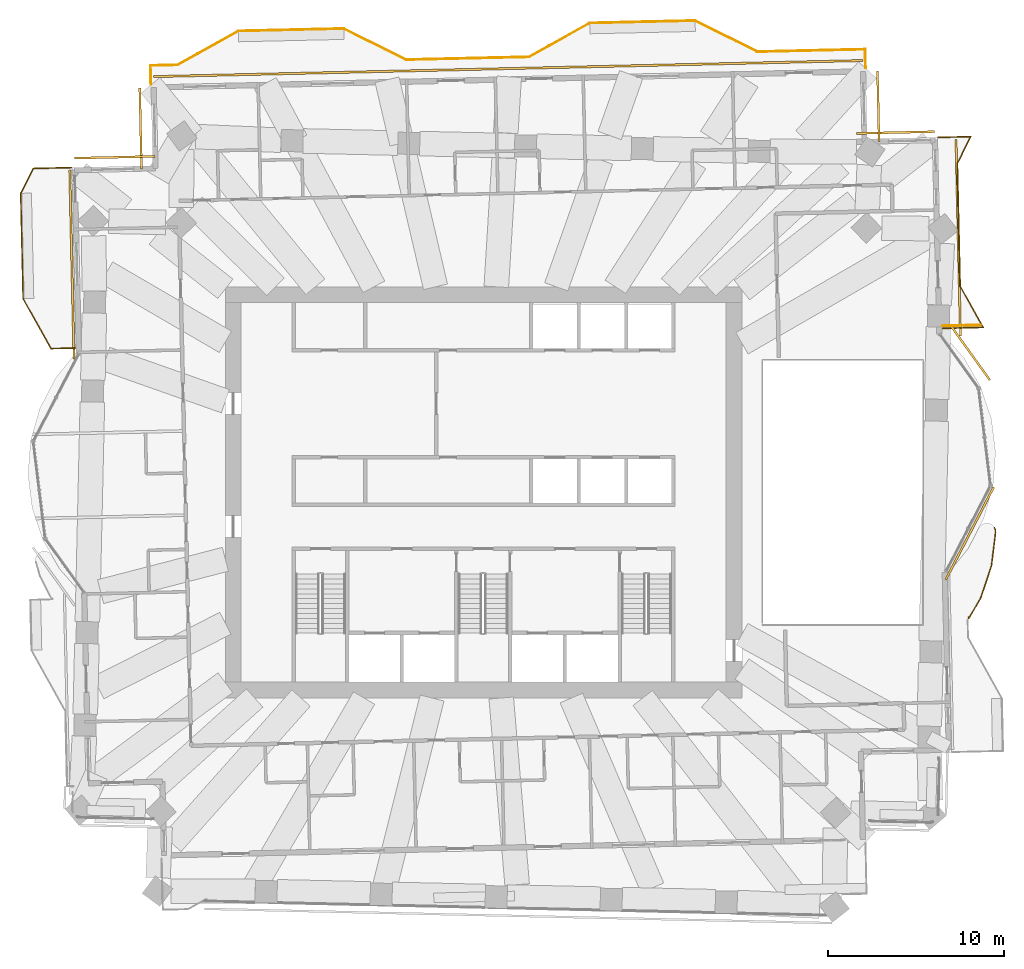
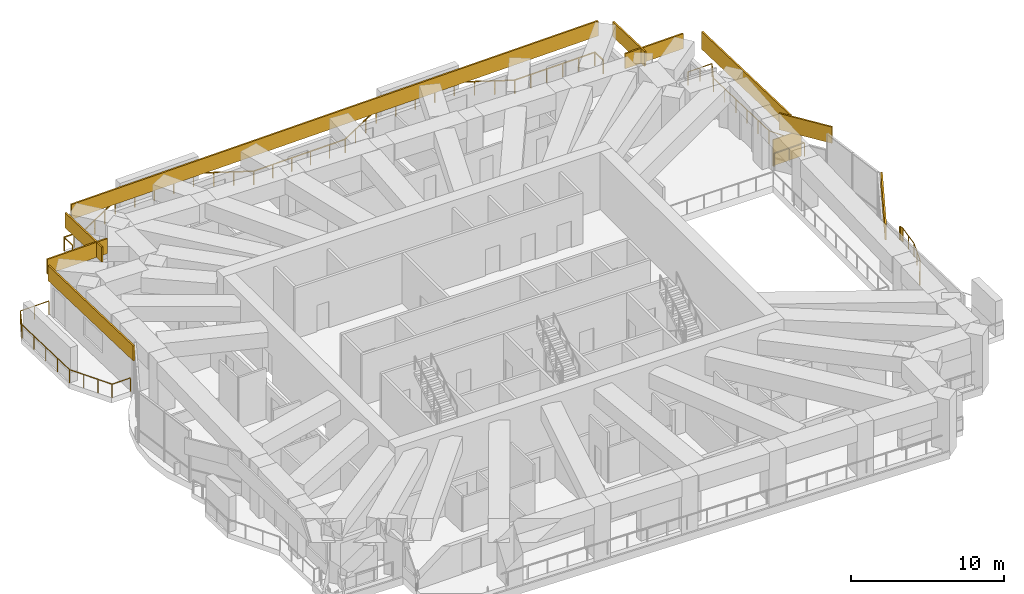
# One storey, part 17 of 17: 9 coverings, 4 railings, 1 shading device.
"""IFC4 building model written with IfcOpenShell, lengths in metres."""

from ifc_helpers import new_model, si_unit, direction, frame, frame_2d, origin, origin_2d, place, context, subcontext, project, spatial, rectangle, extrude, material, layer, layer_set, type_object, element, save


model = new_model("IFC4")

# Units and contexts
model_context = context("Model", 3, precision=1e-05, world=origin(), true_north=direction((0.0, 1.0)))
body_context = subcontext(model_context, "Body", "Model", "MODEL_VIEW")
ifc_project = project(units=[si_unit("LENGTHUNIT", "METRE"), si_unit("AREAUNIT", "SQUARE_METRE"), si_unit("VOLUMEUNIT", "CUBIC_METRE"), si_unit("PLANEANGLEUNIT", "RADIAN"), si_unit("MASSUNIT", "GRAM", prefix="KILO")], contexts=[model_context])

# Site, building, storey
site_placement = place(None, origin())
site = spatial("IfcSite", under=ifc_project, at=site_placement, CompositionType="ELEMENT")
building_placement = place(site_placement, origin())
building = spatial("IfcBuilding", under=site, at=building_placement, Name="Mangrove Gate Tower", CompositionType="ELEMENT")
storey_placement = place(building_placement, frame((0.0, 0.0, 170.699951171875)))
storey = spatial("IfcBuildingStorey", under=building, at=storey_placement, Name="L43", CompositionType="ELEMENT", Elevation=170.699951171875)

# Railings
ifc_material_1 = material(Name="Stainless steel grade 316 with laminated glass infill", Category="steel")
railing_type = type_object("IfcRailingType", Name="Balcony guard 1100", PredefinedType="GUARDRAIL", material=ifc_material_1)
railing_1_placement = place(storey_placement, frame((26.112060546875, 9.333984375, 0.0)))
element("IfcRailing", 1, at=railing_1_placement, inside=storey, type_object=railing_type, Name="GUARD L43 E2", PredefinedType="GUARDRAIL", context=body_context, shape_type="SweptSolid", body=[
    extrude(rectangle(XDim=0.048095703125, YDim=0.048095703125, at=origin_2d()), frame((0.0, 0.0, 1.076171875), z_axis=(0.999747788443, 0.022457949688, 0.0), x_axis=(-0.022457949688, 0.999747788443, 0.0)), (0.0, 0.0, 1.0), 2.3154296875),
    extrude(rectangle(XDim=0.048095703125, YDim=0.048095703125, at=origin_2d()), frame((2.31494140625, 0.052001953125, 1.076171875), z_axis=(-0.487440307169, 0.873156313009, 0.0), x_axis=(-0.873156313009, -0.487440307169, 0.0)), (0.0, 0.0, 1.0), 2.685546875),
    extrude(rectangle(XDim=0.048095703125, YDim=0.048095703125, at=origin_2d()), frame((1.005859375, 2.39697265625, 1.076171875), z_axis=(-0.022702393474, 0.999742267452, 0.0), x_axis=(-0.999742267452, -0.022702393474, 0.0)), (0.0, 0.0, 1.0), 7.000732421875),
    extrude(rectangle(XDim=0.048095703125, YDim=0.048095703125, at=origin_2d()), frame((0.846923828125, 9.39599609375, 1.076171875), z_axis=(0.447443850914, 0.894312026241, 0.0), x_axis=(-0.894312026241, 0.447443850914, 0.0)), (0.0, 0.0, 1.0), 1.6962890625),
    extrude(rectangle(XDim=0.048095703125, YDim=0.048095703125, at=origin_2d()), frame((1.60595703125, 10.9130859375, 1.076171875), z_axis=(-0.999743329406, -0.02265558006, 0.0), x_axis=(0.02265558006, -0.999743329406, 0.0)), (0.0, 0.0, 1.0), 1.853515625),
    extrude(rectangle(XDim=0.0419921875, YDim=0.0419921875, at=origin_2d()), origin(), (0.0, 0.0, 1.0), 1.052001953125),
    extrude(rectangle(XDim=0.0419921875, YDim=0.0419921875, at=origin_2d()), frame((1.157470703125, 0.02587890625, 0.0)), (0.0, 0.0, 1.0), 1.052001953125),
    extrude(rectangle(XDim=0.0419921875, YDim=0.0419921875, at=origin_2d()), frame((2.31494140625, 0.052001953125, 0.0)), (0.0, 0.0, 1.0), 1.052001953125),
    extrude(rectangle(XDim=0.0419921875, YDim=0.0419921875, at=origin_2d()), frame((1.660400390625, 1.224609375, 0.0)), (0.0, 0.0, 1.0), 1.052001953125),
    extrude(rectangle(XDim=0.0419921875, YDim=0.0419921875, at=origin_2d()), frame((1.005859375, 2.39697265625, 0.0)), (0.0, 0.0, 1.0), 1.052001953125),
    extrude(rectangle(XDim=0.0419921875, YDim=0.0419921875, at=origin_2d()), frame((0.97412109375, 3.796875, 0.0)), (0.0, 0.0, 1.0), 1.052001953125),
    extrude(rectangle(XDim=0.0419921875, YDim=0.0419921875, at=origin_2d()), frame((0.9423828125, 5.196533203125, 0.0)), (0.0, 0.0, 1.0), 1.052001953125),
    extrude(rectangle(XDim=0.0419921875, YDim=0.0419921875, at=origin_2d()), frame((0.910400390625, 6.596435546875, 0.0)), (0.0, 0.0, 1.0), 1.052001953125),
    extrude(rectangle(XDim=0.0419921875, YDim=0.0419921875, at=origin_2d()), frame((0.878662109375, 7.99609375, 0.0)), (0.0, 0.0, 1.0), 1.052001953125),
    extrude(rectangle(XDim=0.0419921875, YDim=0.0419921875, at=origin_2d()), frame((0.846923828125, 9.39599609375, 0.0)), (0.0, 0.0, 1.0), 1.052001953125),
    extrude(rectangle(XDim=0.0419921875, YDim=0.0419921875, at=origin_2d()), frame((1.2265625, 10.154541015625, 0.0)), (0.0, 0.0, 1.0), 1.052001953125),
    extrude(rectangle(XDim=0.0419921875, YDim=0.0419921875, at=origin_2d()), frame((1.60595703125, 10.9130859375, 0.0)), (0.0, 0.0, 1.0), 1.052001953125),
    extrude(rectangle(XDim=0.0419921875, YDim=0.0419921875, at=origin_2d()), frame((0.679443359375, 10.89208984375, 0.0)), (0.0, 0.0, 1.0), 1.052001953125),
    extrude(rectangle(XDim=0.0419921875, YDim=0.0419921875, at=origin_2d()), frame((-0.2470703125, 10.87109375, 0.0)), (0.0, 0.0, 1.0), 1.052001953125),
])
railing_2_placement = place(storey_placement, frame((21.735107421875, 24.153076171875, 0.0)))
element("IfcRailing", 2, at=railing_2_placement, inside=storey, type_object=railing_type, Name="GUARD L43 N1", PredefinedType="GUARDRAIL", context=body_context, shape_type="SweptSolid", body=[
    extrude(rectangle(XDim=0.048095703125, YDim=0.048095703125, at=origin_2d()), frame((0.0, 0.0, 1.076171875), z_axis=(-0.022820894023, 0.999739569486, 0.0), x_axis=(-0.999739569486, -0.022820894023, 0.0)), (0.0, 0.0, 1.0), 1.05908203125),
    extrude(rectangle(XDim=0.048095703125, YDim=0.048095703125, at=origin_2d()), frame((-0.024169921875, 1.058837890625, 1.076171875), z_axis=(-0.999744068049, -0.02262296181, 0.0), x_axis=(0.02262296181, -0.999744068049, 0.0)), (0.0, 0.0, 1.0), 6.140380859375),
    extrude(rectangle(XDim=0.048095703125, YDim=0.048095703125, at=origin_2d()), frame((-6.1630859375, 0.919921875, 1.076171875), z_axis=(-0.894476522376, 0.447114919141, 0.0), x_axis=(-0.447114919141, -0.894476522376, 0.0)), (0.0, 0.0, 1.0), 3.958740234375),
    extrude(rectangle(XDim=0.048095703125, YDim=0.048095703125, at=origin_2d()), frame((-9.7041015625, 2.68994140625, 1.076171875), z_axis=(-0.999743094499, -0.022665943652, 0.0), x_axis=(0.022665943652, -0.999743094499, 0.0)), (0.0, 0.0, 1.0), 5.99951171875),
    extrude(rectangle(XDim=0.048095703125, YDim=0.048095703125, at=origin_2d()), frame((-15.7021484375, 2.553955078125, 1.076171875), z_axis=(-0.87325689943, -0.48726008209, 0.0), x_axis=(0.48726008209, -0.87325689943, 0.0)), (0.0, 0.0, 1.0), 3.958740234375),
    extrude(rectangle(XDim=0.048095703125, YDim=0.048095703125, at=origin_2d()), frame((-19.1591796875, 0.625, 1.076171875), z_axis=(-0.999745080635, -0.022578169675, 0.0), x_axis=(0.022578169675, -0.999745080635, 0.0)), (0.0, 0.0, 1.0), 1.2001953125),
    extrude(rectangle(XDim=0.048095703125, YDim=0.048095703125, at=origin_2d()), frame((-20.359130859375, 0.597900390625, 1.076171875), z_axis=(-0.999740726178, -0.022770165152, 0.0), x_axis=(0.022770165152, -0.999740726178, 0.0)), (0.0, 0.0, 1.0), 5.800537109375),
    extrude(rectangle(XDim=0.048095703125, YDim=0.048095703125, at=origin_2d()), frame((-26.158203125, 0.4658203125, 1.076171875), z_axis=(-0.894476522376, 0.447114919141, 0.0), x_axis=(-0.447114919141, -0.894476522376, 0.0)), (0.0, 0.0, 1.0), 3.958740234375),
    extrude(rectangle(XDim=0.048095703125, YDim=0.048095703125, at=origin_2d()), frame((-29.69921875, 2.23583984375, 1.076171875), z_axis=(-0.999743073592, -0.022666865795, 0.0), x_axis=(0.022666865795, -0.999743073592, 0.0)), (0.0, 0.0, 1.0), 5.999267578125),
    extrude(rectangle(XDim=0.048095703125, YDim=0.048095703125, at=origin_2d()), frame((-35.697021484375, 2.099853515625, 1.076171875), z_axis=(-0.87325689943, -0.48726008209, 0.0), x_axis=(0.48726008209, -0.87325689943, 0.0)), (0.0, 0.0, 1.0), 3.958740234375),
    extrude(rectangle(XDim=0.048095703125, YDim=0.048095703125, at=origin_2d()), frame((-39.154052734375, 0.1708984375, 1.076171875), z_axis=(-0.999743143029, -0.02266380302, 0.0), x_axis=(0.02266380302, -0.999743143029, 0.0)), (0.0, 0.0, 1.0), 1.54052734375),
    extrude(rectangle(XDim=0.048095703125, YDim=0.048095703125, at=origin_2d()), frame((-40.694091796875, 0.135986328125, 1.076171875), z_axis=(0.022585293253, -0.999744919731, 0.0), x_axis=(0.999744919731, 0.022585293253, 0.0)), (0.0, 0.0, 1.0), 1.059326171875),
    extrude(rectangle(XDim=0.0419921875, YDim=0.0419921875, at=origin_2d()), origin(), (0.0, 0.0, 1.0), 1.052001953125),
    extrude(rectangle(XDim=0.0419921875, YDim=0.0419921875, at=origin_2d()), frame((-0.024169921875, 1.058837890625, 0.0)), (0.0, 0.0, 1.0), 1.052001953125),
    extrude(rectangle(XDim=0.0419921875, YDim=0.0419921875, at=origin_2d()), frame((-1.251953125, 1.031005859375, 0.0)), (0.0, 0.0, 1.0), 1.052001953125),
    extrude(rectangle(XDim=0.0419921875, YDim=0.0419921875, at=origin_2d()), frame((-2.479736328125, 1.003173828125, 0.0)), (0.0, 0.0, 1.0), 1.052001953125),
    extrude(rectangle(XDim=0.0419921875, YDim=0.0419921875, at=origin_2d()), frame((-3.70751953125, 0.9755859375, 0.0)), (0.0, 0.0, 1.0), 1.052001953125),
    extrude(rectangle(XDim=0.0419921875, YDim=0.0419921875, at=origin_2d()), frame((-4.935302734375, 0.94775390625, 0.0)), (0.0, 0.0, 1.0), 1.052001953125),
    extrude(rectangle(XDim=0.0419921875, YDim=0.0419921875, at=origin_2d()), frame((-6.1630859375, 0.919921875, 0.0)), (0.0, 0.0, 1.0), 1.052001953125),
    extrude(rectangle(XDim=0.0419921875, YDim=0.0419921875, at=origin_2d()), frame((-7.343505859375, 1.510009765625, 0.0)), (0.0, 0.0, 1.0), 1.052001953125),
    extrude(rectangle(XDim=0.0419921875, YDim=0.0419921875, at=origin_2d()), frame((-8.523681640625, 2.099853515625, 0.0)), (0.0, 0.0, 1.0), 1.052001953125),
    extrude(rectangle(XDim=0.0419921875, YDim=0.0419921875, at=origin_2d()), frame((-9.7041015625, 2.68994140625, 0.0)), (0.0, 0.0, 1.0), 1.052001953125),
    extrude(rectangle(XDim=0.0419921875, YDim=0.0419921875, at=origin_2d()), frame((-11.20361328125, 2.656005859375, 0.0)), (0.0, 0.0, 1.0), 1.052001953125),
    extrude(rectangle(XDim=0.0419921875, YDim=0.0419921875, at=origin_2d()), frame((-12.703125, 2.6220703125, 0.0)), (0.0, 0.0, 1.0), 1.052001953125),
    extrude(rectangle(XDim=0.0419921875, YDim=0.0419921875, at=origin_2d()), frame((-14.20263671875, 2.587890625, 0.0)), (0.0, 0.0, 1.0), 1.052001953125),
    extrude(rectangle(XDim=0.0419921875, YDim=0.0419921875, at=origin_2d()), frame((-15.7021484375, 2.553955078125, 0.0)), (0.0, 0.0, 1.0), 1.052001953125),
    extrude(rectangle(XDim=0.0419921875, YDim=0.0419921875, at=origin_2d()), frame((-16.8544921875, 1.910888671875, 0.0)), (0.0, 0.0, 1.0), 1.052001953125),
    extrude(rectangle(XDim=0.0419921875, YDim=0.0419921875, at=origin_2d()), frame((-18.0068359375, 1.26806640625, 0.0)), (0.0, 0.0, 1.0), 1.052001953125),
    extrude(rectangle(XDim=0.0419921875, YDim=0.0419921875, at=origin_2d()), frame((-19.1591796875, 0.625, 0.0)), (0.0, 0.0, 1.0), 1.052001953125),
    extrude(rectangle(XDim=0.0419921875, YDim=0.0419921875, at=origin_2d()), frame((-20.359130859375, 0.597900390625, 0.0)), (0.0, 0.0, 1.0), 1.052001953125),
    extrude(rectangle(XDim=0.0419921875, YDim=0.0419921875, at=origin_2d()), frame((-21.808837890625, 0.56494140625, 0.0)), (0.0, 0.0, 1.0), 1.052001953125),
    extrude(rectangle(XDim=0.0419921875, YDim=0.0419921875, at=origin_2d()), frame((-23.2587890625, 0.53173828125, 0.0)), (0.0, 0.0, 1.0), 1.052001953125),
    extrude(rectangle(XDim=0.0419921875, YDim=0.0419921875, at=origin_2d()), frame((-24.70849609375, 0.498779296875, 0.0)), (0.0, 0.0, 1.0), 1.052001953125),
    extrude(rectangle(XDim=0.0419921875, YDim=0.0419921875, at=origin_2d()), frame((-26.158203125, 0.4658203125, 0.0)), (0.0, 0.0, 1.0), 1.052001953125),
    extrude(rectangle(XDim=0.0419921875, YDim=0.0419921875, at=origin_2d()), frame((-27.338623046875, 1.055908203125, 0.0)), (0.0, 0.0, 1.0), 1.052001953125),
    extrude(rectangle(XDim=0.0419921875, YDim=0.0419921875, at=origin_2d()), frame((-28.518798828125, 1.645751953125, 0.0)), (0.0, 0.0, 1.0), 1.052001953125),
    extrude(rectangle(XDim=0.0419921875, YDim=0.0419921875, at=origin_2d()), frame((-29.69921875, 2.23583984375, 0.0)), (0.0, 0.0, 1.0), 1.052001953125),
    extrude(rectangle(XDim=0.0419921875, YDim=0.0419921875, at=origin_2d()), frame((-31.19873046875, 2.201904296875, 0.0)), (0.0, 0.0, 1.0), 1.052001953125),
    extrude(rectangle(XDim=0.0419921875, YDim=0.0419921875, at=origin_2d()), frame((-32.6982421875, 2.16796875, 0.0)), (0.0, 0.0, 1.0), 1.052001953125),
    extrude(rectangle(XDim=0.0419921875, YDim=0.0419921875, at=origin_2d()), frame((-34.197509765625, 2.1337890625, 0.0)), (0.0, 0.0, 1.0), 1.052001953125),
    extrude(rectangle(XDim=0.0419921875, YDim=0.0419921875, at=origin_2d()), frame((-35.697021484375, 2.099853515625, 0.0)), (0.0, 0.0, 1.0), 1.052001953125),
    extrude(rectangle(XDim=0.0419921875, YDim=0.0419921875, at=origin_2d()), frame((-36.849365234375, 1.456787109375, 0.0)), (0.0, 0.0, 1.0), 1.052001953125),
    extrude(rectangle(XDim=0.0419921875, YDim=0.0419921875, at=origin_2d()), frame((-38.001708984375, 0.81396484375, 0.0)), (0.0, 0.0, 1.0), 1.052001953125),
    extrude(rectangle(XDim=0.0419921875, YDim=0.0419921875, at=origin_2d()), frame((-39.154052734375, 0.1708984375, 0.0)), (0.0, 0.0, 1.0), 1.052001953125),
    extrude(rectangle(XDim=0.0419921875, YDim=0.0419921875, at=origin_2d()), frame((-39.924072265625, 0.1533203125, 0.0)), (0.0, 0.0, 1.0), 1.052001953125),
    extrude(rectangle(XDim=0.0419921875, YDim=0.0419921875, at=origin_2d()), frame((-40.694091796875, 0.135986328125, 0.0)), (0.0, 0.0, 1.0), 1.052001953125),
    extrude(rectangle(XDim=0.0419921875, YDim=0.0419921875, at=origin_2d()), frame((-40.670166015625, -0.923095703125, 0.0)), (0.0, 0.0, 1.0), 1.052001953125),
])
railing_3_placement = place(storey_placement, frame((-23.468017578125, 18.486083984375, 0.0)))
element("IfcRailing", 3, at=railing_3_placement, inside=storey, type_object=railing_type, Name="GUARD L43 W1", PredefinedType="GUARDRAIL", context=body_context, shape_type="SweptSolid", body=[
    extrude(rectangle(XDim=0.048095703125, YDim=0.048095703125, at=origin_2d()), frame((0.0, 0.0, 1.076171875), z_axis=(-0.999734113432, -0.023058673858, 0.0), x_axis=(0.023058673858, -0.999734113432, 0.0)), (0.0, 0.0, 1.0), 2.17041015625),
    extrude(rectangle(XDim=0.048095703125, YDim=0.048095703125, at=origin_2d()), frame((-2.169921875, -0.050048828125, 1.076171875), z_axis=(-0.4472135955, -0.894427191, 0.0), x_axis=(0.894427191, -0.4472135955, 0.0)), (0.0, 0.0, 1.0), 1.583251953125),
    extrude(rectangle(XDim=0.048095703125, YDim=0.048095703125, at=origin_2d()), frame((-2.8779296875, -1.466064453125, 1.076171875), z_axis=(0.022665943652, -0.999743094499, 0.0), x_axis=(0.999743094499, 0.022665943652, 0.0)), (0.0, 0.0, 1.0), 5.99951171875),
    extrude(rectangle(XDim=0.048095703125, YDim=0.048095703125, at=origin_2d()), frame((-2.741943359375, -7.464111328125, 1.076171875), z_axis=(0.487318241117, -0.873224445303, 0.0), x_axis=(0.873224445303, 0.487318241117, 0.0)), (0.0, 0.0, 1.0), 3.25244140625),
    extrude(rectangle(XDim=0.048095703125, YDim=0.048095703125, at=origin_2d()), frame((-1.156982421875, -10.30419921875, 1.076171875), z_axis=(0.999751267222, 0.022302548909, 0.0), x_axis=(-0.022302548909, 0.999751267222, 0.0)), (0.0, 0.0, 1.0), 1.39013671875),
    extrude(rectangle(XDim=0.0419921875, YDim=0.0419921875, at=origin_2d()), origin(), (0.0, 0.0, 1.0), 1.052001953125),
    extrude(rectangle(XDim=0.0419921875, YDim=0.0419921875, at=origin_2d()), frame((-1.0849609375, -0.02490234375, 0.0)), (0.0, 0.0, 1.0), 1.052001953125),
    extrude(rectangle(XDim=0.0419921875, YDim=0.0419921875, at=origin_2d()), frame((-2.169921875, -0.050048828125, 0.0)), (0.0, 0.0, 1.0), 1.052001953125),
    extrude(rectangle(XDim=0.0419921875, YDim=0.0419921875, at=origin_2d()), frame((-2.52392578125, -0.758056640625, 0.0)), (0.0, 0.0, 1.0), 1.052001953125),
    extrude(rectangle(XDim=0.0419921875, YDim=0.0419921875, at=origin_2d()), frame((-2.8779296875, -1.466064453125, 0.0)), (0.0, 0.0, 1.0), 1.052001953125),
    extrude(rectangle(XDim=0.0419921875, YDim=0.0419921875, at=origin_2d()), frame((-2.843994140625, -2.965576171875, 0.0)), (0.0, 0.0, 1.0), 1.052001953125),
    extrude(rectangle(XDim=0.0419921875, YDim=0.0419921875, at=origin_2d()), frame((-2.81005859375, -4.465087890625, 0.0)), (0.0, 0.0, 1.0), 1.052001953125),
    extrude(rectangle(XDim=0.0419921875, YDim=0.0419921875, at=origin_2d()), frame((-2.77587890625, -5.964599609375, 0.0)), (0.0, 0.0, 1.0), 1.052001953125),
    extrude(rectangle(XDim=0.0419921875, YDim=0.0419921875, at=origin_2d()), frame((-2.741943359375, -7.464111328125, 0.0)), (0.0, 0.0, 1.0), 1.052001953125),
    extrude(rectangle(XDim=0.0419921875, YDim=0.0419921875, at=origin_2d()), frame((-2.213623046875, -8.410888671875, 0.0)), (0.0, 0.0, 1.0), 1.052001953125),
    extrude(rectangle(XDim=0.0419921875, YDim=0.0419921875, at=origin_2d()), frame((-1.685302734375, -9.357421875, 0.0)), (0.0, 0.0, 1.0), 1.052001953125),
    extrude(rectangle(XDim=0.0419921875, YDim=0.0419921875, at=origin_2d()), frame((-1.156982421875, -10.30419921875, 0.0)), (0.0, 0.0, 1.0), 1.052001953125),
    extrude(rectangle(XDim=0.0419921875, YDim=0.0419921875, at=origin_2d()), frame((0.23291015625, -10.273193359375, 0.0)), (0.0, 0.0, 1.0), 1.052001953125),
])
railing_4_placement = place(storey_placement, frame((29.06103515625, -1.990966796875, 0.0)))
element("IfcRailing", 4, at=railing_4_placement, inside=storey, type_object=railing_type, Name="GUARD L43 T1.1", PredefinedType="GUARDRAIL", context=body_context, shape_type="SweptSolid", body=[
    extrude(rectangle(XDim=0.048095703125, YDim=0.048095703125, at=origin_2d()), frame((0.0, 0.0, 1.076171875), z_axis=(0.478168266369, -0.878268244352, 0.0), x_axis=(0.878268244352, 0.478168266369, 0.0)), (0.0, 0.0, 1.0), 0.02490234375),
    extrude(rectangle(XDim=0.048095703125, YDim=0.048095703125, at=origin_2d()), frame((0.011962890625, -0.02197265625, 1.076171875), z_axis=(0.42154330482, -0.906808271997, 0.0), x_axis=(0.906808271997, 0.42154330482, 0.0)), (0.0, 0.0, 1.0), 0.0498046875),
    extrude(rectangle(XDim=0.048095703125, YDim=0.048095703125, at=origin_2d()), frame((0.032958984375, -0.067138671875, 1.076171875), z_axis=(0.325079768511, -0.945686599305, 0.0), x_axis=(0.945686599305, 0.325079768511, 0.0)), (0.0, 0.0, 1.0), 0.049560546875),
    extrude(rectangle(XDim=0.048095703125, YDim=0.048095703125, at=origin_2d()), frame((0.049072265625, -0.114013671875, 1.076171875), z_axis=(0.218472344851, -0.975843140333, 0.0), x_axis=(0.975843140333, 0.218472344851, 0.0)), (0.0, 0.0, 1.0), 0.05029296875),
    extrude(rectangle(XDim=0.048095703125, YDim=0.048095703125, at=origin_2d()), frame((0.06005859375, -0.1630859375, 1.076171875), z_axis=(0.119145220618, -0.992876838487, 0.0), x_axis=(0.992876838487, 0.119145220618, 0.0)), (0.0, 0.0, 1.0), 0.049072265625),
    extrude(rectangle(XDim=0.048095703125, YDim=0.048095703125, at=origin_2d()), frame((0.06591796875, -0.2119140625, 1.076171875), z_axis=(0.087574328612, -0.996157987956, 0.0), x_axis=(0.996157987956, 0.087574328612, 0.0)), (0.0, 0.0, 1.0), 0.022216796875),
    extrude(rectangle(XDim=0.048095703125, YDim=0.048095703125, at=origin_2d()), frame((0.06787109375, -0.234130859375, 1.076171875), z_axis=(0.019604074934, -0.999807821657, 0.0), x_axis=(0.999807821657, 0.019604074934, 0.0)), (0.0, 0.0, 1.0), 0.0498046875),
    extrude(rectangle(XDim=0.048095703125, YDim=0.048095703125, at=origin_2d()), frame((0.06884765625, -0.283935546875, 1.076171875), z_axis=(-0.059595380047, -0.998222615791, 0.0), x_axis=(0.998222615791, -0.059595380047, 0.0)), (0.0, 0.0, 1.0), 0.049072265625),
    extrude(rectangle(XDim=0.048095703125, YDim=0.048095703125, at=origin_2d()), frame((0.06591796875, -0.3330078125, 1.076171875), z_axis=(-0.122361242097, -0.992485630341, 0.0), x_axis=(0.992485630341, -0.122361242097, 0.0)), (0.0, 0.0, 1.0), 1.813720703125),
    extrude(rectangle(XDim=0.048095703125, YDim=0.048095703125, at=origin_2d()), frame((-0.156005859375, -2.133056640625, 1.076171875), z_axis=(-0.162010149383, -0.986789091699, 0.0), x_axis=(0.986789091699, -0.162010149383, 0.0)), (0.0, 0.0, 1.0), 0.0498046875),
    extrude(rectangle(XDim=0.048095703125, YDim=0.048095703125, at=origin_2d()), frame((-0.1640625, -2.18212890625, 1.076171875), z_axis=(-0.279247415681, -0.960219183747, 0.0), x_axis=(0.960219183747, -0.279247415681, 0.0)), (0.0, 0.0, 1.0), 0.0498046875),
    extrude(rectangle(XDim=0.048095703125, YDim=0.048095703125, at=origin_2d()), frame((-0.177978515625, -2.22998046875, 1.076171875), z_axis=(-0.316227766017, -0.948683298051, 0.0), x_axis=(0.948683298051, -0.316227766017, 0.0)), (0.0, 0.0, 1.0), 1.81201171875),
    extrude(rectangle(XDim=0.048095703125, YDim=0.048095703125, at=origin_2d()), frame((-0.7509765625, -3.948974609375, 1.076171875), z_axis=(-0.358006312238, -0.933719165701, 0.0), x_axis=(0.933719165701, -0.358006312238, 0.0)), (0.0, 0.0, 1.0), 0.050537109375),
    extrude(rectangle(XDim=0.048095703125, YDim=0.048095703125, at=origin_2d()), frame((-0.76904296875, -3.99609375, 1.076171875), z_axis=(-0.462902565911, -0.886409168766, 0.0), x_axis=(0.886409168766, -0.462902565911, 0.0)), (0.0, 0.0, 1.0), 0.049560546875),
    extrude(rectangle(XDim=0.048095703125, YDim=0.048095703125, at=origin_2d()), frame((-0.7919921875, -4.0400390625, 1.076171875), z_axis=(-0.498671483007, -0.866791065964, 0.0), x_axis=(0.866791065964, -0.498671483007, 0.0)), (0.0, 0.0, 1.0), 1.32763671875),
    extrude(rectangle(XDim=0.048095703125, YDim=0.048095703125, at=origin_2d()), frame((-1.4541015625, -5.19091796875, 1.076171875), z_axis=(-0.020352017837, 0.999792876235, 0.0), x_axis=(-0.999792876235, -0.020352017837, 0.0)), (0.0, 0.0, 1.0), 0.095947265625),
    extrude(rectangle(XDim=0.0419921875, YDim=0.0419921875, at=origin_2d()), origin(), (0.0, 0.0, 1.0), 1.052001953125),
    extrude(rectangle(XDim=0.0419921875, YDim=0.0419921875, at=origin_2d()), frame((0.011962890625, -0.02197265625, 0.0)), (0.0, 0.0, 1.0), 1.052001953125),
    extrude(rectangle(XDim=0.0419921875, YDim=0.0419921875, at=origin_2d()), frame((0.032958984375, -0.067138671875, 0.0)), (0.0, 0.0, 1.0), 1.052001953125),
    extrude(rectangle(XDim=0.0419921875, YDim=0.0419921875, at=origin_2d()), frame((0.049072265625, -0.114013671875, 0.0)), (0.0, 0.0, 1.0), 1.052001953125),
    extrude(rectangle(XDim=0.0419921875, YDim=0.0419921875, at=origin_2d()), frame((0.06005859375, -0.1630859375, 0.0)), (0.0, 0.0, 1.0), 1.052001953125),
    extrude(rectangle(XDim=0.0419921875, YDim=0.0419921875, at=origin_2d()), frame((0.06591796875, -0.2119140625, 0.0)), (0.0, 0.0, 1.0), 1.052001953125),
    extrude(rectangle(XDim=0.0419921875, YDim=0.0419921875, at=origin_2d()), frame((0.06787109375, -0.234130859375, 0.0)), (0.0, 0.0, 1.0), 1.052001953125),
    extrude(rectangle(XDim=0.0419921875, YDim=0.0419921875, at=origin_2d()), frame((0.06884765625, -0.283935546875, 0.0)), (0.0, 0.0, 1.0), 1.052001953125),
    extrude(rectangle(XDim=0.0419921875, YDim=0.0419921875, at=origin_2d()), frame((0.06591796875, -0.3330078125, 0.0)), (0.0, 0.0, 1.0), 1.052001953125),
    extrude(rectangle(XDim=0.0419921875, YDim=0.0419921875, at=origin_2d()), frame((-0.044921875, -1.23291015625, 0.0)), (0.0, 0.0, 1.0), 1.052001953125),
    extrude(rectangle(XDim=0.0419921875, YDim=0.0419921875, at=origin_2d()), frame((-0.156005859375, -2.133056640625, 0.0)), (0.0, 0.0, 1.0), 1.052001953125),
    extrude(rectangle(XDim=0.0419921875, YDim=0.0419921875, at=origin_2d()), frame((-0.1640625, -2.18212890625, 0.0)), (0.0, 0.0, 1.0), 1.052001953125),
    extrude(rectangle(XDim=0.0419921875, YDim=0.0419921875, at=origin_2d()), frame((-0.177978515625, -2.22998046875, 0.0)), (0.0, 0.0, 1.0), 1.052001953125),
    extrude(rectangle(XDim=0.0419921875, YDim=0.0419921875, at=origin_2d()), frame((-0.46435546875, -3.08935546875, 0.0)), (0.0, 0.0, 1.0), 1.052001953125),
    extrude(rectangle(XDim=0.0419921875, YDim=0.0419921875, at=origin_2d()), frame((-0.7509765625, -3.948974609375, 0.0)), (0.0, 0.0, 1.0), 1.052001953125),
    extrude(rectangle(XDim=0.0419921875, YDim=0.0419921875, at=origin_2d()), frame((-0.76904296875, -3.99609375, 0.0)), (0.0, 0.0, 1.0), 1.052001953125),
    extrude(rectangle(XDim=0.0419921875, YDim=0.0419921875, at=origin_2d()), frame((-0.7919921875, -4.0400390625, 0.0)), (0.0, 0.0, 1.0), 1.052001953125),
    extrude(rectangle(XDim=0.0419921875, YDim=0.0419921875, at=origin_2d()), frame((-1.4541015625, -5.19091796875, 0.0)), (0.0, 0.0, 1.0), 1.052001953125),
    extrude(rectangle(XDim=0.0419921875, YDim=0.0419921875, at=origin_2d()), frame((-1.4560546875, -5.094970703125, 0.0)), (0.0, 0.0, 1.0), 1.052001953125),
])

# Shading device
ifc_material_2 = material(Name="Timber slat screen in teak", Category="wood")
shading_device_type = type_object("IfcShadingDeviceType", Name="Balcony screen 2100", PredefinedType="USERDEFINED", material=ifc_material_2)
shading_device_placement = place(storey_placement, frame((27.18603515625, 9.498046875, 0.0), z_axis=(0.0, 0.0, 1.0), x_axis=(0.999745767327, 0.02254774295, 0.0)))
element("IfcShadingDevice", 5, at=shading_device_placement, inside=storey, type_object=shading_device_type, Name="SCREEN L43 E1", ObjectType="SCREEN", PredefinedType="USERDEFINED", context=body_context, shape_type="SweptSolid", body=[
    extrude(rectangle(XDim=2.196044921875, YDim=0.050048828125, at=origin_2d()), origin(), (0.0, 0.0, 1.0), 2.10009765625),
])

# Coverings
ifc_material_3 = material(Name="Limestone", Category="masonry")
ifc_layer_1 = layer(ifc_material_3, 0.0400390625, Name="Limestone cladding")
ifc_material_4 = material(Name="Stainless steel anchors and cavity", Category="steel")
ifc_layer_2 = layer(ifc_material_4, 0.080078125, Name="Fixing cavity")
ifc_layer_set = layer_set([ifc_layer_1, ifc_layer_2], Name="Joint fascia cladding 120")
covering_type = type_object("IfcCoveringType", Name="Joint fascia cladding 120", PredefinedType="CLADDING", material=ifc_layer_set)
covering_1_placement = place(storey_placement, frame((26.287109375, -4.97607421875, 2.75), z_axis=(0.0, 0.0, 1.0), x_axis=(0.460590585312, 0.887612704237, 0.0)))
element("IfcCovering", 6, at=covering_1_placement, inside=storey, type_object=covering_type, Name="STONE FASCIA L43 E1.L1", PredefinedType="CLADDING", context=body_context, shape_type="SweptSolid", body=[
    extrude(rectangle(XDim=5.94189453125, YDim=0.1201171875, at=frame_2d((2.970947265625, 0.0))), origin(), (0.0, 0.0, 1.0), 1.300048828125),
])
covering_2_placement = place(storey_placement, frame((28.805908203125, 6.39306640625, 2.75), z_axis=(0.0, 0.0, 1.0), x_axis=(-0.583879911449, 0.811840039051, 0.0)))
element("IfcCovering", 7, at=covering_2_placement, inside=storey, type_object=covering_type, Name="STONE FASCIA L43 E1.L2", PredefinedType="CLADDING", context=body_context, shape_type="SweptSolid", body=[
    extrude(rectangle(XDim=3.81591796875, YDim=0.1201171875, at=frame_2d((1.907958984375, 0.0))), origin(), (0.0, 0.0, 1.0), 1.300048828125),
])
covering_3_placement = place(storey_placement, frame((27.13232421875, 8.9033203125, 2.650146484375), z_axis=(0.0, 0.0, 1.0), x_axis=(-0.022759609515, 0.999740966538, 0.0)))
element("IfcCovering", 8, at=covering_3_placement, inside=storey, type_object=covering_type, Name="STONE FASCIA L43 E2.1", PredefinedType="CLADDING", context=body_context, shape_type="SweptSolid", body=[
    extrude(rectangle(XDim=11.177490234375, YDim=0.1201171875, at=frame_2d((5.5888671875, 0.0))), origin(), (0.0, 0.0, 1.0), 1.39990234375),
])
covering_4_placement = place(storey_placement, frame((25.66796875, 20.530029296875, 2.85009765625), z_axis=(0.0, 0.0, 1.0), x_axis=(-0.999742373047, -0.022697742936, 0.0)))
element("IfcCovering", 9, at=covering_4_placement, inside=storey, type_object=covering_type, Name="STONE FASCIA L43 N3.1", PredefinedType="CLADDING", context=body_context, shape_type="SweptSolid", body=[
    extrude(rectangle(XDim=4.453125, YDim=0.1201171875, at=frame_2d((2.2265625, 0.0))), origin(), (0.0, 0.0, 1.0), 1.199951171875),
])
covering_5_placement = place(storey_placement, frame((22.5, 19.97900390625, 2.85009765625), z_axis=(0.0, 0.0, 1.0), x_axis=(-0.022765770952, 0.999740826251, 0.0)))
element("IfcCovering", 10, at=covering_5_placement, inside=storey, type_object=covering_type, Name="STONE FASCIA L43 E4.1", PredefinedType="CLADDING", context=body_context, shape_type="SweptSolid", body=[
    extrude(rectangle(XDim=4.0, YDim=0.1201171875, at=frame_2d((2.0, 0.0))), origin(), (0.0, 0.0, 1.0), 1.199951171875),
])
covering_6_placement = place(storey_placement, frame((21.574951171875, 24.575927734375, 2.85009765625), z_axis=(0.0, 0.0, 1.0), x_axis=(-0.999742668271, -0.022684735819, 0.0)))
element("IfcCovering", 11, at=covering_6_placement, inside=storey, type_object=covering_type, Name="STONE FASCIA L43 N5.1", PredefinedType="CLADDING", context=body_context, shape_type="SweptSolid", body=[
    extrude(rectangle(XDim=40.38037109375, YDim=0.1201171875, at=frame_2d((20.190185546875, 0.0))), origin(), (0.0, 0.0, 1.0), 1.199951171875),
])
covering_7_placement = place(storey_placement, frame((-19.573974609375, 23.02490234375, 2.85009765625), z_axis=(0.0, 0.0, 1.0), x_axis=(0.022703415106, -0.999742244252, 0.0)))
element("IfcCovering", 12, at=covering_7_placement, inside=storey, type_object=covering_type, Name="STONE FASCIA L43 W6.1", PredefinedType="CLADDING", context=body_context, shape_type="SweptSolid", body=[
    extrude(rectangle(XDim=4.6240234375, YDim=0.1201171875, at=frame_2d((2.31201171875, 0.0))), origin(), (0.0, 0.0, 1.0), 1.199951171875),
])
covering_8_placement = place(storey_placement, frame((-18.69189453125, 19.1240234375, 2.85009765625), z_axis=(0.0, 0.0, 1.0), x_axis=(-0.999744296031, -0.022612884682, 0.0)))
element("IfcCovering", 13, at=covering_8_placement, inside=storey, type_object=covering_type, Name="STONE FASCIA L43 N7.1", PredefinedType="CLADDING", context=body_context, shape_type="SweptSolid", body=[
    extrude(rectangle(XDim=4.599365234375, YDim=0.1201171875, at=frame_2d((2.2998046875, 0.0))), origin(), (0.0, 0.0, 1.0), 1.199951171875),
])
covering_9_placement = place(storey_placement, frame((-23.554931640625, 18.333984375, 2.85009765625), z_axis=(0.0, 0.0, 1.0), x_axis=(0.022711593324, -0.999742058497, 0.0)))
element("IfcCovering", 14, at=covering_9_placement, inside=storey, type_object=covering_type, Name="STONE FASCIA L43 W8.1", PredefinedType="CLADDING", context=body_context, shape_type="SweptSolid", body=[
    extrude(rectangle(XDim=10.73876953125, YDim=0.1201171875, at=frame_2d((5.369384765625, 0.0))), origin(), (0.0, 0.0, 1.0), 1.199951171875),
])

save(model, "model.ifc")
